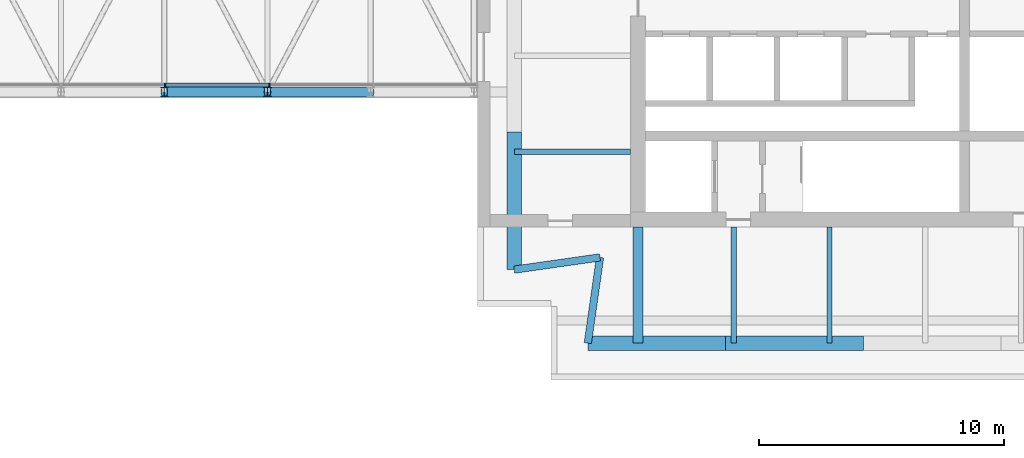
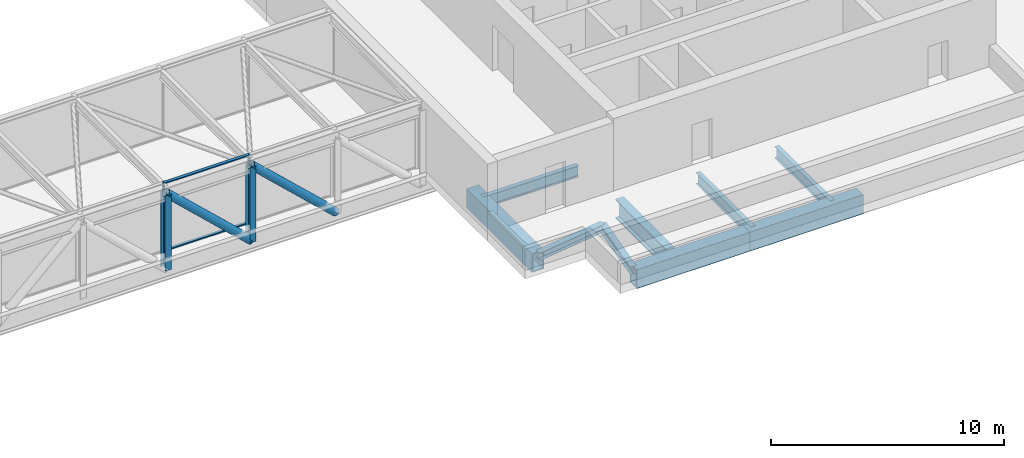
# One storey, part 8 of 19: 9 beams, 8 members, 1 element without a shape of its own.
"""IFC4 building model written with IfcOpenShell, lengths in metres."""

from ifc_helpers import new_model, si_unit, direction, frame, origin, origin_2d, place, context, subcontext, project, spatial, rectangle, hollow_rectangle, hollow_circle, i_section, extrude, material, material_profile, profile_set, type_object, element, aggregate, save


model = new_model("IFC4")

# Units and contexts
model_context = context("Model", 3, precision=1e-05, world=origin(), true_north=direction((0.0, 1.0)))
body_context = subcontext(model_context, "Body", "Model", "MODEL_VIEW")
ifc_project = project(units=[si_unit("LENGTHUNIT", "METRE"), si_unit("AREAUNIT", "SQUARE_METRE"), si_unit("VOLUMEUNIT", "CUBIC_METRE"), si_unit("PLANEANGLEUNIT", "RADIAN"), si_unit("MASSUNIT", "GRAM", prefix="KILO")], contexts=[model_context])

# Site, building, storey
site_placement = place(None, origin())
site = spatial("IfcSite", under=ifc_project, at=site_placement, CompositionType="ELEMENT")
building_placement = place(site_placement, origin())
building = spatial("IfcBuilding", under=site, at=building_placement, Name="Ostroluk Exchange", CompositionType="ELEMENT")
storey_placement = place(building_placement, frame((0.0, 0.0, 131.199951171875)))
storey = spatial("IfcBuildingStorey", under=building, at=storey_placement, Name="L33", CompositionType="ELEMENT", Elevation=131.199951171875)

# Curtain wall, members
ifc_material_1 = material(Name="Laminated clear glass", Category="glass")
curtain_wall_type = type_object("IfcCurtainWallType", Name="Bridge glazing", PredefinedType="USERDEFINED", material=ifc_material_1)
curtain_wall_placement = place(storey_placement, origin())
curtain_wall = element("IfcCurtainWall", 1, at=curtain_wall_placement, inside=storey, type_object=curtain_wall_type, Name="Sky garden bridge south glazing", ObjectType="STICK CURTAIN WALL", PredefinedType="USERDEFINED")
ifc_material_2 = material(Name="Aluminium mullion", Category="aluminium")
ifc_material_profile_1 = material_profile(ifc_material_2, rectangle(XDim=0.14990234375, YDim=0.06005859375, at=origin_2d()), Name="Bridge mullion 60 x 150")
ifc_profile_set_1 = profile_set([ifc_material_profile_1], Name="Aluminium mullion")
member_type_1 = type_object("IfcMemberType", Name="Bridge mullion 60 x 150", PredefinedType="MULLION", material=ifc_profile_set_1)
member_1_placement = place(storey_placement, frame((88.5, 42.2900390625, 0.0), z_axis=(0.0, 0.0, 1.0), x_axis=(0.0, 1.0, 0.0)))
member_1 = element("IfcMember", 2, at=member_1_placement, type_object=member_type_1, Name="CW-BR1 mullion 6", PredefinedType="MULLION", context=body_context, shape_type="SweptSolid", body=[
    extrude(rectangle(XDim=0.14990234375, YDim=0.06005859375, at=origin_2d()), origin(), (0.0, 0.0, 1.0), 3.60009765625),
])
member_2_placement = place(storey_placement, frame((92.75, 42.2900390625, 0.0), z_axis=(0.0, 0.0, 1.0), x_axis=(0.0, 1.0, 0.0)))
member_2 = element("IfcMember", 3, at=member_2_placement, type_object=member_type_1, Name="CW-BR1 mullion 7", PredefinedType="MULLION", context=body_context, shape_type="SweptSolid", body=[
    extrude(rectangle(XDim=0.14990234375, YDim=0.06005859375, at=origin_2d()), origin(), (0.0, 0.0, 1.0), 3.60009765625),
])
ifc_material_3 = material(Name="Aluminium mullion", Category="aluminium")
ifc_material_profile_2 = material_profile(ifc_material_3, rectangle(XDim=0.14990234375, YDim=0.06005859375, at=origin_2d()), Name="Bridge transom 60 x 150")
ifc_profile_set_2 = profile_set([ifc_material_profile_2], Name="Aluminium mullion")
member_type_2 = type_object("IfcMemberType", Name="Bridge transom 60 x 150", PredefinedType="USERDEFINED", material=ifc_profile_set_2)
member_3_placement = place(storey_placement, frame((88.530029296875, 42.2900390625, 0.030029296875), z_axis=(1.0, 0.0, 0.0), x_axis=(0.0, 1.0, 0.0)))
member_3 = element("IfcMember", 4, at=member_3_placement, type_object=member_type_2, Name="CW-BR1 transom 6.1", ObjectType="TRANSOM", PredefinedType="USERDEFINED", context=body_context, shape_type="SweptSolid", body=[
    extrude(rectangle(XDim=0.14990234375, YDim=0.06005859375, at=origin_2d()), origin(), (0.0, 0.0, 1.0), 4.18994140625),
])
member_4_placement = place(storey_placement, frame((88.530029296875, 42.2900390625, 3.570068359375), z_axis=(1.0, 0.0, 0.0), x_axis=(0.0, 1.0, 0.0)))
member_4 = element("IfcMember", 5, at=member_4_placement, type_object=member_type_2, Name="CW-BR1 transom 6.2", ObjectType="TRANSOM", PredefinedType="USERDEFINED", context=body_context, shape_type="SweptSolid", body=[
    extrude(rectangle(XDim=0.14990234375, YDim=0.06005859375, at=origin_2d()), origin(), (0.0, 0.0, 1.0), 4.18994140625),
])
aggregate(curtain_wall, [member_1, member_2, member_3, member_4])

# Members
ifc_material_4 = material(Name="Steel S460", Category="steel")
ifc_material_profile_3 = material_profile(ifc_material_4, hollow_circle(Radius=0.203125, WallThickness=0.01611328125, at=origin_2d()), Name="CHS 406.4x16")
ifc_profile_set_3 = profile_set([ifc_material_profile_3], Name="Steel S460")
member_type_3 = type_object("IfcMemberType", Name="Bridge truss diagonal CHS 406.4x16", PredefinedType="BRACE", material=ifc_profile_set_3)
member_5_placement = place(storey_placement, frame((92.675048828125, 42.0, -0.7060546875), z_axis=(-0.72895858284, 0.0, 0.684557802164), x_axis=(0.0, -1.0, 0.0)))
element("IfcMember", 6, at=member_5_placement, inside=storey, type_object=member_type_3, Name="BR2 S diagonal 6", PredefinedType="BRACE", context=body_context, shape_type="SweptSolid", body=[
    extrude(hollow_circle(Radius=0.203125, WallThickness=0.01611328125, at=origin_2d()), origin(), (0.0, 0.0, 1.0), 5.779052734375),
])
member_6_placement = place(storey_placement, frame((96.887451171875, 42.0, -0.7060546875), z_axis=(-0.728938784526, 0.0, 0.684578883996), x_axis=(0.0, -1.0, 0.0)))
element("IfcMember", 7, at=member_6_placement, inside=storey, type_object=member_type_3, Name="BR2 S diagonal 7", PredefinedType="BRACE", context=body_context, shape_type="SweptSolid", body=[
    extrude(hollow_circle(Radius=0.203125, WallThickness=0.01611328125, at=origin_2d()), origin(), (0.0, 0.0, 1.0), 5.77880859375),
])
ifc_material_5 = material(Name="Steel S460", Category="steel")
ifc_material_profile_4 = material_profile(ifc_material_5, i_section(OverallWidth=0.300048828125, OverallDepth=0.39990234375, WebThickness=0.013427734375, FlangeThickness=0.02392578125, FilletRadius=0.027099609375, at=origin_2d()), Name="HEB 400")
ifc_profile_set_4 = profile_set([ifc_material_profile_4], Name="Steel S460")
member_type_4 = type_object("IfcMemberType", Name="Bridge truss post HEB 400", PredefinedType="POST", material=ifc_profile_set_4)
for number, where, z_axis, x_axis, name in (
    (8, (88.46240234375, 42.0, -0.7060546875), (0.0, 0.0, 1.0), (1.0, 0.0, 0.0), "BR2 S post 6"),
    (9, (92.675048828125, 42.0, -0.7060546875), (0.0, 0.0, 1.0), (1.0, 0.0, 0.0), "BR2 S post 7"),
):
    element("IfcMember", number, at=place(storey_placement, frame(where, z_axis=z_axis, x_axis=x_axis)), inside=storey, type_object=member_type_4, Name=name, PredefinedType="POST", context=body_context, shape_type="SweptSolid", body=[
        extrude(i_section(OverallWidth=0.300048828125, OverallDepth=0.39990234375, WebThickness=0.013427734375, FlangeThickness=0.02392578125, FilletRadius=0.027099609375, at=origin_2d()), origin(), (0.0, 0.0, 1.0), 3.9560546875),
    ])

# Beams
ifc_material_6 = material(Name="Steel S355", Category="steel")
ifc_material_profile_5 = material_profile(ifc_material_6, i_section(OverallWidth=0.300048828125, OverallDepth=0.39990234375, WebThickness=0.013427734375, FlangeThickness=0.02392578125, FilletRadius=0.027099609375, at=origin_2d()), Name="HEB 400")
ifc_profile_set_5 = profile_set([ifc_material_profile_5], Name="Steel S355")
beam_type_1 = type_object("IfcBeamType", Name="Corner edge beam HEB 400", PredefinedType="SPANDREL", material=ifc_profile_set_5)
for number, where, z_axis, x_axis, name in (
    (10, (106.25, 35.25, -0.64990234375), (-0.989949493661, -0.141421356237, 0.0), (0.141421356237, -0.989949493661, 0.0), "T2 west corner edge beam a"),
    (11, (106.25, 35.25, -0.64990234375), (-0.141421356237, -0.989949493661, 0.0), (0.989949493661, -0.141421356237, 0.0), "T2 west corner edge beam b"),
):
    element("IfcBeam", number, at=place(storey_placement, frame(where, z_axis=z_axis, x_axis=x_axis)), inside=storey, type_object=beam_type_1, Name=name, PredefinedType="SPANDREL", context=body_context, shape_type="SweptSolid", body=[
        extrude(i_section(OverallWidth=0.300048828125, OverallDepth=0.39990234375, WebThickness=0.013427734375, FlangeThickness=0.02392578125, FilletRadius=0.027099609375, at=origin_2d()), origin(), (0.0, 0.0, 1.0), 3.53564453125),
    ])
ifc_material_7 = material(Name="Steel S355", Category="steel")
ifc_material_profile_6 = material_profile(ifc_material_7, i_section(OverallWidth=0.219970703125, OverallDepth=0.60009765625, WebThickness=0.011962890625, FlangeThickness=0.01904296875, FilletRadius=0.02392578125, at=origin_2d()), Name="IPE 600")
ifc_profile_set_6 = profile_set([ifc_material_profile_6], Name="Steel S355")
beam_type_2 = type_object("IfcBeamType", Name="Floor beam IPE 600", PredefinedType="BEAM", material=ifc_profile_set_6)
for number, where, z_axis, x_axis, name in (
    (12, (107.5, 39.566650390625, -0.75), (-1.0, 0.0, 0.0), (0.0, -1.0, 0.0), "T2 west floor beam 4"),
    (13, (111.708251953125, 36.5, -0.75), (0.0, -1.0, 0.0), (1.0, 0.0, 0.0), "T2 south floor beam 1"),
    (14, (115.61669921875, 36.5, -0.75), (0.0, -1.0, 0.0), (1.0, 0.0, 0.0), "T2 south floor beam 2"),
):
    element("IfcBeam", number, at=place(storey_placement, frame(where, z_axis=z_axis, x_axis=x_axis)), inside=storey, type_object=beam_type_2, Name=name, PredefinedType="BEAM", context=body_context, shape_type="SweptSolid", body=[
        extrude(i_section(OverallWidth=0.219970703125, OverallDepth=0.60009765625, WebThickness=0.011962890625, FlangeThickness=0.01904296875, FilletRadius=0.02392578125, at=origin_2d()), origin(), (0.0, 0.0, 1.0), 4.75),
    ])
ifc_material_8 = material(Name="Steel S355", Category="steel")
ifc_material_profile_7 = material_profile(ifc_material_8, i_section(OverallWidth=0.402099609375, OverallDepth=1.011962890625, WebThickness=0.035888671875, FlangeThickness=0.055908203125, FilletRadius=0.030029296875, at=origin_2d()), Name="HL 1000x443")
ifc_profile_set_7 = profile_set([ifc_material_profile_7], Name="Steel S355")
beam_type_3 = type_object("IfcBeamType", Name="Girder HL 1000x443", PredefinedType="BEAM", material=ifc_profile_set_7)
beam_placement = place(storey_placement, frame((107.800048828125, 36.5, -0.9560546875), z_axis=(0.0, -1.0, 0.0), x_axis=(1.0, 0.0, 0.0)))
element("IfcBeam", 15, at=beam_placement, inside=storey, type_object=beam_type_3, Name="T2 west girder", PredefinedType="BEAM", context=body_context, shape_type="SweptSolid", body=[
    extrude(i_section(OverallWidth=0.402099609375, OverallDepth=1.011962890625, WebThickness=0.035888671875, FlangeThickness=0.055908203125, FilletRadius=0.030029296875, at=origin_2d()), origin(), (0.0, 0.0, 1.0), 4.75),
])
ifc_material_9 = material(Name="Steel S355", Category="steel")
ifc_material_profile_8 = material_profile(ifc_material_9, hollow_rectangle(XDim=0.60009765625, YDim=1.0, WallThickness=0.06005859375, at=origin_2d()), Name="BOX 600x1000x60")
ifc_profile_set_8 = profile_set([ifc_material_profile_8], Name="Steel S355")
beam_type_4 = type_object("IfcBeamType", Name="Moment-connected edge beam BOX 600x1000x60", PredefinedType="SPANDREL", material=ifc_profile_set_8)
for number, where, z_axis, x_axis, name in (
    (16, (102.75, 40.375, -0.949951171875), (0.0, -1.0, 0.0), (1.0, 0.0, 0.0), "T2 west edge beam 4"),
    (17, (105.75, 31.75, -0.949951171875), (1.0, 0.0, 0.0), (0.0, 1.0, 0.0), "T2 south edge beam 1"),
    (18, (111.375, 31.75, -0.949951171875), (1.0, 0.0, 0.0), (0.0, 1.0, 0.0), "T2 south edge beam 2"),
):
    element("IfcBeam", number, at=place(storey_placement, frame(where, z_axis=z_axis, x_axis=x_axis)), inside=storey, type_object=beam_type_4, Name=name, PredefinedType="SPANDREL", context=body_context, shape_type="SweptSolid", body=[
        extrude(hollow_rectangle(XDim=0.60009765625, YDim=1.0, WallThickness=0.06005859375, at=origin_2d()), origin(), (0.0, 0.0, 1.0), 5.625),
    ])

save(model, "model.ifc")
